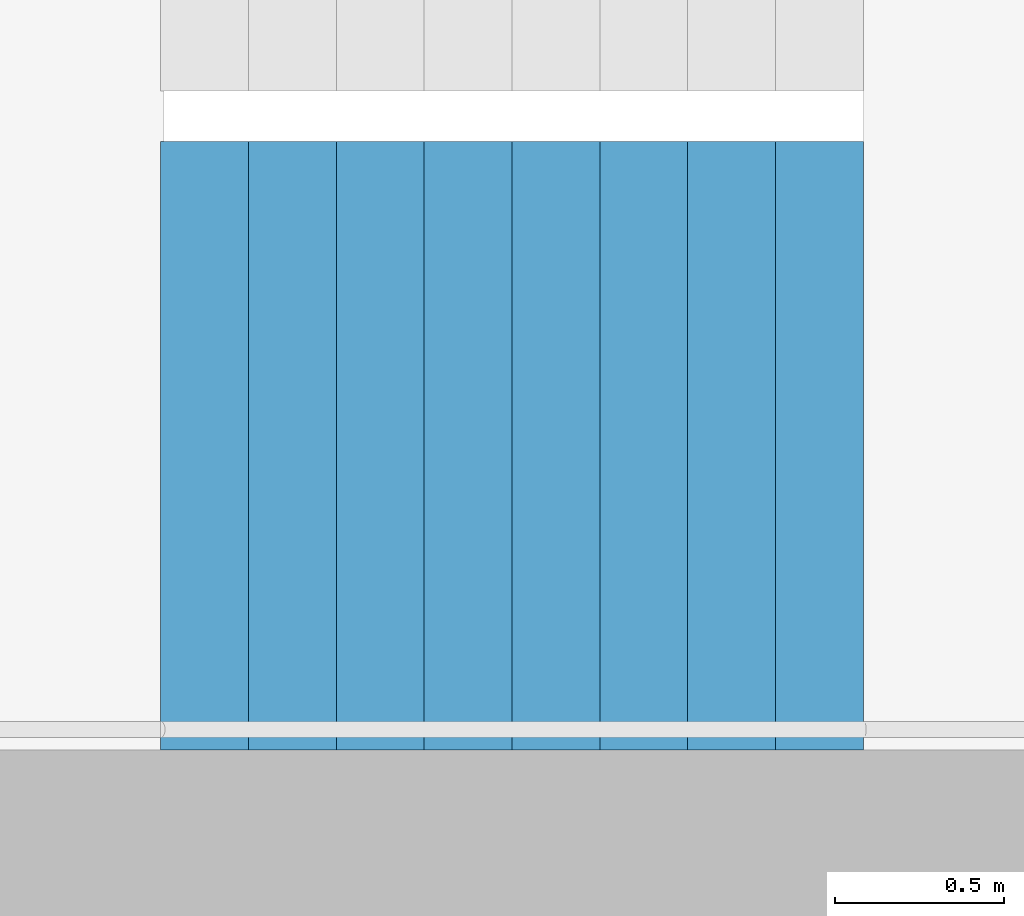
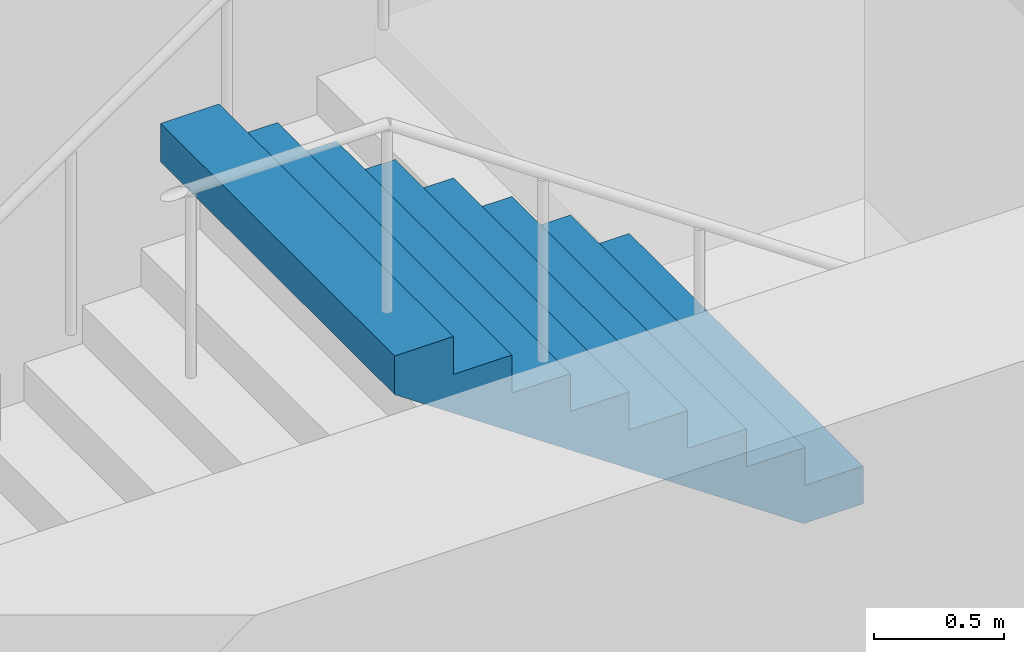
# One storey, part 22 of 26: 1 stair flight, 1 element without a shape of its own.
"""IFC4 building model written with IfcOpenShell, lengths in metres."""

from ifc_helpers import new_model, si_unit, direction, frame, origin, place, context, subcontext, project, spatial, triangles, material, type_object, element, aggregate, save


model = new_model("IFC4")

# Units and contexts
model_context = context("Model", 3, precision=1e-05, world=origin(), true_north=direction((0.0, 1.0)))
body_context = subcontext(model_context, "Body", "Model", "MODEL_VIEW")
ifc_project = project(units=[si_unit("LENGTHUNIT", "METRE"), si_unit("AREAUNIT", "SQUARE_METRE"), si_unit("VOLUMEUNIT", "CUBIC_METRE"), si_unit("PLANEANGLEUNIT", "RADIAN"), si_unit("MASSUNIT", "GRAM", prefix="KILO")], contexts=[model_context])

# Site, building, storey
site_placement = place(None, origin())
site = spatial("IfcSite", under=ifc_project, at=site_placement, CompositionType="ELEMENT")
building_placement = place(site_placement, origin())
building = spatial("IfcBuilding", under=site, at=building_placement, Name="Hakoniwa Tower and Hamabe Station Hall", CompositionType="ELEMENT")
storey_placement = place(building_placement, frame((0.0, 0.0, 212.199951171875)))
storey = spatial("IfcBuildingStorey", under=building, at=storey_placement, Name="L60", CompositionType="ELEMENT", Elevation=212.199951171875)

# Stair, stair flight
ifc_material_1 = material(Name="Concrete C40", Category="concrete")
stair_type = type_object("IfcStairType", Name="ESCAPE STAIR 1800", PredefinedType="HALF_TURN_STAIR", material=ifc_material_1)
stair_placement = place(storey_placement, origin())
stair = element("IfcStair", 1, at=stair_placement, inside=storey, type_object=stair_type, Name="Escape stair ST-4 L60", PredefinedType="HALF_TURN_STAIR")
ifc_material_2 = material(Name="Concrete C40", Category="concrete")
stair_flight_type = type_object("IfcStairFlightType", Name="STAIR FLIGHT 1800", PredefinedType="STRAIGHT", material=ifc_material_2)
stair_flight_placement = place(storey_placement, frame((25.47998046875, -6.60009765625, 1.60009765625), z_axis=(0.0, 0.0, 1.0), x_axis=(-1.0, 0.0, 0.0)))
stair_flight = element("IfcStairFlight", 2, at=stair_flight_placement, type_object=stair_flight_type, Name="ST-4 flight 2", NumberOfRisers=9, NumberOfTreads=8, PredefinedType="STRAIGHT", RiserHeight=0.177777778, TreadLength=0.26, context=body_context, shape_type="Tessellation", body=[
    triangles([(0.0, 0.89990234375, 0.0), (0.260009765625, 0.89990234375, 0.0), (0.265625, 0.89990234375, 0.0), (0.52001953125, 0.89990234375, 0.174072265625), (0.780029296875, 0.89990234375, 0.351806640625), (1.0400390625, 0.89990234375, 0.529541015625), (1.300048828125, 0.89990234375, 0.707275390625), (1.56005859375, 0.89990234375, 0.885009765625), (1.820068359375, 0.89990234375, 1.062744140625), (2.080078125, 0.89990234375, 1.24072265625), (2.080078125, 0.89990234375, 1.422119140625), (1.820068359375, 0.89990234375, 1.422119140625), (1.820068359375, 0.89990234375, 1.244384765625), (1.56005859375, 0.89990234375, 1.244384765625), (1.56005859375, 0.89990234375, 1.066650390625), (1.300048828125, 0.89990234375, 1.066650390625), (1.300048828125, 0.89990234375, 0.888916015625), (1.0400390625, 0.89990234375, 0.888916015625), (1.0400390625, 0.89990234375, 0.711181640625), (0.780029296875, 0.89990234375, 0.711181640625), (0.780029296875, 0.89990234375, 0.533447265625), (0.52001953125, 0.89990234375, 0.533447265625), (0.52001953125, 0.89990234375, 0.35546875), (0.265625, 0.89990234375, 0.35546875), (0.260009765625, 0.89990234375, 0.35546875), (0.260009765625, 0.89990234375, 0.177734375), (0.0, 0.89990234375, 0.177734375), (0.0, 0.06005859375, 0.0), (0.260009765625, 0.06005859375, 0.0), (0.265625, 0.06005859375, 0.0), (0.52001953125, 0.06005859375, 0.174072265625), (0.780029296875, 0.06005859375, 0.351806640625), (1.0400390625, 0.06005859375, 0.529541015625), (1.300048828125, 0.06005859375, 0.707275390625), (1.56005859375, 0.06005859375, 0.885009765625), (1.820068359375, 0.06005859375, 1.062744140625), (2.080078125, 0.06005859375, 1.24072265625), (2.080078125, 0.06005859375, 1.422119140625), (1.820068359375, 0.06005859375, 1.422119140625), (1.820068359375, 0.06005859375, 1.244384765625), (1.56005859375, 0.06005859375, 1.244384765625), (1.56005859375, 0.06005859375, 1.066650390625), (1.300048828125, 0.06005859375, 1.066650390625), (1.300048828125, 0.06005859375, 0.888916015625), (1.0400390625, 0.06005859375, 0.888916015625), (1.0400390625, 0.06005859375, 0.711181640625), (0.780029296875, 0.06005859375, 0.711181640625), (0.780029296875, 0.06005859375, 0.533447265625), (0.52001953125, 0.06005859375, 0.533447265625), (0.52001953125, 0.06005859375, 0.35546875), (0.265625, 0.06005859375, 0.35546875), (0.260009765625, 0.06005859375, 0.35546875), (0.260009765625, 0.06005859375, 0.177734375), (0.0, 0.06005859375, 0.177734375), (0.0, 0.04296875, 0.0), (0.260009765625, 0.04296875, 0.0), (0.265625, 0.04296875, 0.0), (0.52001953125, 0.04296875, 0.174072265625), (0.780029296875, 0.04296875, 0.351806640625), (1.0400390625, 0.04296875, 0.529541015625), (1.300048828125, 0.04296875, 0.707275390625), (1.56005859375, 0.04296875, 0.885009765625), (1.820068359375, 0.04296875, 1.062744140625), (2.080078125, 0.04296875, 1.24072265625), (2.080078125, 0.04296875, 1.422119140625), (1.820068359375, 0.04296875, 1.422119140625), (1.820068359375, 0.04296875, 1.244384765625), (1.56005859375, 0.04296875, 1.244384765625), (1.56005859375, 0.04296875, 1.066650390625), (1.300048828125, 0.04296875, 1.066650390625), (1.300048828125, 0.04296875, 0.888916015625), (1.0400390625, 0.04296875, 0.888916015625), (1.0400390625, 0.04296875, 0.711181640625), (0.780029296875, 0.04296875, 0.711181640625), (0.780029296875, 0.04296875, 0.533447265625), (0.52001953125, 0.04296875, 0.533447265625), (0.52001953125, 0.04296875, 0.35546875), (0.265625, 0.04296875, 0.35546875), (0.260009765625, 0.04296875, 0.35546875), (0.260009765625, 0.04296875, 0.177734375), (0.0, 0.04296875, 0.177734375), (0.0, 0.025634765625, 0.0), (0.260009765625, 0.025634765625, 0.0), (0.265625, 0.025634765625, 0.0), (0.52001953125, 0.025634765625, 0.174072265625), (0.780029296875, 0.025634765625, 0.351806640625), (1.0400390625, 0.025634765625, 0.529541015625), (1.300048828125, 0.025634765625, 0.707275390625), (1.56005859375, 0.025634765625, 0.885009765625), (1.820068359375, 0.025634765625, 1.062744140625), (2.080078125, 0.025634765625, 1.24072265625), (2.080078125, 0.025634765625, 1.422119140625), (1.820068359375, 0.025634765625, 1.422119140625), (1.820068359375, 0.025634765625, 1.244384765625), (1.56005859375, 0.025634765625, 1.244384765625), (1.56005859375, 0.025634765625, 1.066650390625), (1.300048828125, 0.025634765625, 1.066650390625), (1.300048828125, 0.025634765625, 0.888916015625), (1.0400390625, 0.025634765625, 0.888916015625), (1.0400390625, 0.025634765625, 0.711181640625), (0.780029296875, 0.025634765625, 0.711181640625), (0.780029296875, 0.025634765625, 0.533447265625), (0.52001953125, 0.025634765625, 0.533447265625), (0.52001953125, 0.025634765625, 0.35546875), (0.265625, 0.025634765625, 0.35546875), (0.260009765625, 0.025634765625, 0.35546875), (0.260009765625, 0.025634765625, 0.177734375), (0.0, 0.025634765625, 0.177734375), (0.0, 0.008544921875, 0.0), (0.260009765625, 0.008544921875, 0.0), (0.265625, 0.008544921875, 0.0), (0.52001953125, 0.008544921875, 0.174072265625), (0.780029296875, 0.008544921875, 0.351806640625), (1.0400390625, 0.008544921875, 0.529541015625), (1.300048828125, 0.008544921875, 0.707275390625), (1.56005859375, 0.008544921875, 0.885009765625), (1.820068359375, 0.008544921875, 1.062744140625), (2.080078125, 0.008544921875, 1.24072265625), (2.080078125, 0.008544921875, 1.422119140625), (1.820068359375, 0.008544921875, 1.422119140625), (1.820068359375, 0.008544921875, 1.244384765625), (1.56005859375, 0.008544921875, 1.244384765625), (1.56005859375, 0.008544921875, 1.066650390625), (1.300048828125, 0.008544921875, 1.066650390625), (1.300048828125, 0.008544921875, 0.888916015625), (1.0400390625, 0.008544921875, 0.888916015625), (1.0400390625, 0.008544921875, 0.711181640625), (0.780029296875, 0.008544921875, 0.711181640625), (0.780029296875, 0.008544921875, 0.533447265625), (0.52001953125, 0.008544921875, 0.533447265625), (0.52001953125, 0.008544921875, 0.35546875), (0.265625, 0.008544921875, 0.35546875), (0.260009765625, 0.008544921875, 0.35546875), (0.260009765625, 0.008544921875, 0.177734375), (0.0, 0.008544921875, 0.177734375), (0.0, -0.008544921875, 0.0), (0.260009765625, -0.008544921875, 0.0), (0.265625, -0.008544921875, 0.0), (0.52001953125, -0.008544921875, 0.174072265625), (0.780029296875, -0.008544921875, 0.351806640625), (1.0400390625, -0.008544921875, 0.529541015625), (1.300048828125, -0.008544921875, 0.707275390625), (1.56005859375, -0.008544921875, 0.885009765625), (1.820068359375, -0.008544921875, 1.062744140625), (2.080078125, -0.008544921875, 1.24072265625), (2.080078125, -0.008544921875, 1.422119140625), (1.820068359375, -0.008544921875, 1.422119140625), (1.820068359375, -0.008544921875, 1.244384765625), (1.56005859375, -0.008544921875, 1.244384765625), (1.56005859375, -0.008544921875, 1.066650390625), (1.300048828125, -0.008544921875, 1.066650390625), (1.300048828125, -0.008544921875, 0.888916015625), (1.0400390625, -0.008544921875, 0.888916015625), (1.0400390625, -0.008544921875, 0.711181640625), (0.780029296875, -0.008544921875, 0.711181640625), (0.780029296875, -0.008544921875, 0.533447265625), (0.52001953125, -0.008544921875, 0.533447265625), (0.52001953125, -0.008544921875, 0.35546875), (0.265625, -0.008544921875, 0.35546875), (0.260009765625, -0.008544921875, 0.35546875), (0.260009765625, -0.008544921875, 0.177734375), (0.0, -0.008544921875, 0.177734375), (0.0, -0.025634765625, 0.0), (0.260009765625, -0.025634765625, 0.0), (0.265625, -0.025634765625, 0.0), (0.52001953125, -0.025634765625, 0.174072265625), (0.780029296875, -0.025634765625, 0.351806640625), (1.0400390625, -0.025634765625, 0.529541015625), (1.300048828125, -0.025634765625, 0.707275390625), (1.56005859375, -0.025634765625, 0.885009765625), (1.820068359375, -0.025634765625, 1.062744140625), (2.080078125, -0.025634765625, 1.24072265625), (2.080078125, -0.025634765625, 1.422119140625), (1.820068359375, -0.025634765625, 1.422119140625), (1.820068359375, -0.025634765625, 1.244384765625), (1.56005859375, -0.025634765625, 1.244384765625), (1.56005859375, -0.025634765625, 1.066650390625), (1.300048828125, -0.025634765625, 1.066650390625), (1.300048828125, -0.025634765625, 0.888916015625), (1.0400390625, -0.025634765625, 0.888916015625), (1.0400390625, -0.025634765625, 0.711181640625), (0.780029296875, -0.025634765625, 0.711181640625), (0.780029296875, -0.025634765625, 0.533447265625), (0.52001953125, -0.025634765625, 0.533447265625), (0.52001953125, -0.025634765625, 0.35546875), (0.265625, -0.025634765625, 0.35546875), (0.260009765625, -0.025634765625, 0.35546875), (0.260009765625, -0.025634765625, 0.177734375), (0.0, -0.025634765625, 0.177734375), (0.0, -0.04296875, 0.0), (0.260009765625, -0.04296875, 0.0), (0.265625, -0.04296875, 0.0), (0.52001953125, -0.04296875, 0.174072265625), (0.780029296875, -0.04296875, 0.351806640625), (1.0400390625, -0.04296875, 0.529541015625), (1.300048828125, -0.04296875, 0.707275390625), (1.56005859375, -0.04296875, 0.885009765625), (1.820068359375, -0.04296875, 1.062744140625), (2.080078125, -0.04296875, 1.24072265625), (2.080078125, -0.04296875, 1.422119140625), (1.820068359375, -0.04296875, 1.422119140625), (1.820068359375, -0.04296875, 1.244384765625), (1.56005859375, -0.04296875, 1.244384765625), (1.56005859375, -0.04296875, 1.066650390625), (1.300048828125, -0.04296875, 1.066650390625), (1.300048828125, -0.04296875, 0.888916015625), (1.0400390625, -0.04296875, 0.888916015625), (1.0400390625, -0.04296875, 0.711181640625), (0.780029296875, -0.04296875, 0.711181640625), (0.780029296875, -0.04296875, 0.533447265625), (0.52001953125, -0.04296875, 0.533447265625), (0.52001953125, -0.04296875, 0.35546875), (0.265625, -0.04296875, 0.35546875), (0.260009765625, -0.04296875, 0.35546875), (0.260009765625, -0.04296875, 0.177734375), (0.0, -0.04296875, 0.177734375), (0.0, -0.06005859375, 0.0), (0.260009765625, -0.06005859375, 0.0), (0.265625, -0.06005859375, 0.0), (0.52001953125, -0.06005859375, 0.174072265625), (0.780029296875, -0.06005859375, 0.351806640625), (1.0400390625, -0.06005859375, 0.529541015625), (1.300048828125, -0.06005859375, 0.707275390625), (1.56005859375, -0.06005859375, 0.885009765625), (1.820068359375, -0.06005859375, 1.062744140625), (2.080078125, -0.06005859375, 1.24072265625), (2.080078125, -0.06005859375, 1.422119140625), (1.820068359375, -0.06005859375, 1.422119140625), (1.820068359375, -0.06005859375, 1.244384765625), (1.56005859375, -0.06005859375, 1.244384765625), (1.56005859375, -0.06005859375, 1.066650390625), (1.300048828125, -0.06005859375, 1.066650390625), (1.300048828125, -0.06005859375, 0.888916015625), (1.0400390625, -0.06005859375, 0.888916015625), (1.0400390625, -0.06005859375, 0.711181640625), (0.780029296875, -0.06005859375, 0.711181640625), (0.780029296875, -0.06005859375, 0.533447265625), (0.52001953125, -0.06005859375, 0.533447265625), (0.52001953125, -0.06005859375, 0.35546875), (0.265625, -0.06005859375, 0.35546875), (0.260009765625, -0.06005859375, 0.35546875), (0.260009765625, -0.06005859375, 0.177734375), (0.0, -0.06005859375, 0.177734375), (0.0, -0.89990234375, 0.0), (0.260009765625, -0.89990234375, 0.0), (0.265625, -0.89990234375, 0.0), (0.52001953125, -0.89990234375, 0.174072265625), (0.780029296875, -0.89990234375, 0.351806640625), (1.0400390625, -0.89990234375, 0.529541015625), (1.300048828125, -0.89990234375, 0.707275390625), (1.56005859375, -0.89990234375, 0.885009765625), (1.820068359375, -0.89990234375, 1.062744140625), (2.080078125, -0.89990234375, 1.24072265625), (2.080078125, -0.89990234375, 1.422119140625), (1.820068359375, -0.89990234375, 1.422119140625), (1.820068359375, -0.89990234375, 1.244384765625), (1.56005859375, -0.89990234375, 1.244384765625), (1.56005859375, -0.89990234375, 1.066650390625), (1.300048828125, -0.89990234375, 1.066650390625), (1.300048828125, -0.89990234375, 0.888916015625), (1.0400390625, -0.89990234375, 0.888916015625), (1.0400390625, -0.89990234375, 0.711181640625), (0.780029296875, -0.89990234375, 0.711181640625), (0.780029296875, -0.89990234375, 0.533447265625), (0.52001953125, -0.89990234375, 0.533447265625), (0.52001953125, -0.89990234375, 0.35546875), (0.265625, -0.89990234375, 0.35546875), (0.260009765625, -0.89990234375, 0.35546875), (0.260009765625, -0.89990234375, 0.177734375), (0.0, -0.89990234375, 0.177734375)], [[2, 27, 26], [245, 269, 270], [2, 1, 27], [245, 270, 244], [3, 25, 24], [246, 267, 268], [3, 26, 25], [246, 268, 269], [3, 2, 26], [246, 269, 245], [4, 24, 23], [247, 266, 267], [4, 3, 24], [247, 267, 246], [5, 22, 21], [248, 264, 265], [5, 23, 22], [248, 265, 266], [5, 4, 23], [248, 266, 247], [6, 20, 19], [249, 262, 263], [6, 21, 20], [249, 263, 264], [6, 5, 21], [249, 264, 248], [7, 18, 17], [250, 260, 261], [7, 19, 18], [250, 261, 262], [7, 6, 19], [250, 262, 249], [8, 16, 15], [251, 258, 259], [8, 17, 16], [251, 259, 260], [8, 7, 17], [251, 260, 250], [9, 14, 13], [252, 256, 257], [9, 15, 14], [252, 257, 258], [9, 8, 15], [252, 258, 251], [10, 12, 11], [253, 254, 255], [10, 13, 12], [253, 255, 256], [10, 9, 13], [253, 256, 252], [1, 2, 29], [1, 29, 28], [28, 29, 56], [28, 56, 55], [55, 56, 83], [55, 83, 82], [82, 83, 110], [82, 110, 109], [109, 110, 137], [109, 137, 136], [136, 137, 164], [136, 164, 163], [163, 164, 191], [163, 191, 190], [190, 191, 218], [190, 218, 217], [217, 218, 245], [217, 245, 244], [2, 3, 30], [2, 30, 29], [29, 30, 57], [29, 57, 56], [56, 57, 84], [56, 84, 83], [83, 84, 111], [83, 111, 110], [110, 111, 138], [110, 138, 137], [137, 138, 165], [137, 165, 164], [164, 165, 192], [164, 192, 191], [191, 192, 219], [191, 219, 218], [218, 219, 246], [218, 246, 245], [3, 4, 31], [3, 31, 30], [30, 31, 58], [30, 58, 57], [57, 58, 85], [57, 85, 84], [84, 85, 112], [84, 112, 111], [111, 112, 139], [111, 139, 138], [138, 139, 166], [138, 166, 165], [165, 166, 193], [165, 193, 192], [192, 193, 220], [192, 220, 219], [219, 220, 247], [219, 247, 246], [4, 5, 32], [4, 32, 31], [31, 32, 59], [31, 59, 58], [58, 59, 86], [58, 86, 85], [85, 86, 113], [85, 113, 112], [112, 113, 140], [112, 140, 139], [139, 140, 167], [139, 167, 166], [166, 167, 194], [166, 194, 193], [193, 194, 221], [193, 221, 220], [220, 221, 248], [220, 248, 247], [5, 6, 33], [5, 33, 32], [32, 33, 60], [32, 60, 59], [59, 60, 87], [59, 87, 86], [86, 87, 114], [86, 114, 113], [113, 114, 141], [113, 141, 140], [140, 141, 168], [140, 168, 167], [167, 168, 195], [167, 195, 194], [194, 195, 222], [194, 222, 221], [221, 222, 249], [221, 249, 248], [6, 7, 34], [6, 34, 33], [33, 34, 61], [33, 61, 60], [60, 61, 88], [60, 88, 87], [87, 88, 115], [87, 115, 114], [114, 115, 142], [114, 142, 141], [141, 142, 169], [141, 169, 168], [168, 169, 196], [168, 196, 195], [195, 196, 223], [195, 223, 222], [222, 223, 250], [222, 250, 249], [7, 8, 35], [7, 35, 34], [34, 35, 62], [34, 62, 61], [61, 62, 89], [61, 89, 88], [88, 89, 116], [88, 116, 115], [115, 116, 143], [115, 143, 142], [142, 143, 170], [142, 170, 169], [169, 170, 197], [169, 197, 196], [196, 197, 224], [196, 224, 223], [223, 224, 251], [223, 251, 250], [8, 9, 36], [8, 36, 35], [35, 36, 63], [35, 63, 62], [62, 63, 90], [62, 90, 89], [89, 90, 117], [89, 117, 116], [116, 117, 144], [116, 144, 143], [143, 144, 171], [143, 171, 170], [170, 171, 198], [170, 198, 197], [197, 198, 225], [197, 225, 224], [224, 225, 252], [224, 252, 251], [9, 10, 37], [9, 37, 36], [36, 37, 64], [36, 64, 63], [63, 64, 91], [63, 91, 90], [90, 91, 118], [90, 118, 117], [117, 118, 145], [117, 145, 144], [144, 145, 172], [144, 172, 171], [171, 172, 199], [171, 199, 198], [198, 199, 226], [198, 226, 225], [225, 226, 253], [225, 253, 252], [10, 11, 38], [10, 38, 37], [37, 38, 65], [37, 65, 64], [64, 65, 92], [64, 92, 91], [91, 92, 119], [91, 119, 118], [118, 119, 146], [118, 146, 145], [145, 146, 173], [145, 173, 172], [172, 173, 200], [172, 200, 199], [199, 200, 227], [199, 227, 226], [226, 227, 254], [226, 254, 253], [11, 12, 39], [11, 39, 38], [38, 39, 66], [38, 66, 65], [65, 66, 93], [65, 93, 92], [92, 93, 120], [92, 120, 119], [119, 120, 147], [119, 147, 146], [146, 147, 174], [146, 174, 173], [173, 174, 201], [173, 201, 200], [200, 201, 228], [200, 228, 227], [227, 228, 255], [227, 255, 254], [12, 13, 40], [12, 40, 39], [39, 40, 67], [39, 67, 66], [66, 67, 94], [66, 94, 93], [93, 94, 121], [93, 121, 120], [120, 121, 148], [120, 148, 147], [147, 148, 175], [147, 175, 174], [174, 175, 202], [174, 202, 201], [201, 202, 229], [201, 229, 228], [228, 229, 256], [228, 256, 255], [13, 14, 41], [13, 41, 40], [40, 41, 68], [40, 68, 67], [67, 68, 95], [67, 95, 94], [94, 95, 122], [94, 122, 121], [121, 122, 149], [121, 149, 148], [148, 149, 176], [148, 176, 175], [175, 176, 203], [175, 203, 202], [202, 203, 230], [202, 230, 229], [229, 230, 257], [229, 257, 256], [14, 15, 42], [14, 42, 41], [41, 42, 69], [41, 69, 68], [68, 69, 96], [68, 96, 95], [95, 96, 123], [95, 123, 122], [122, 123, 150], [122, 150, 149], [149, 150, 177], [149, 177, 176], [176, 177, 204], [176, 204, 203], [203, 204, 231], [203, 231, 230], [230, 231, 258], [230, 258, 257], [15, 16, 43], [15, 43, 42], [42, 43, 70], [42, 70, 69], [69, 70, 97], [69, 97, 96], [96, 97, 124], [96, 124, 123], [123, 124, 151], [123, 151, 150], [150, 151, 178], [150, 178, 177], [177, 178, 205], [177, 205, 204], [204, 205, 232], [204, 232, 231], [231, 232, 259], [231, 259, 258], [16, 17, 44], [16, 44, 43], [43, 44, 71], [43, 71, 70], [70, 71, 98], [70, 98, 97], [97, 98, 125], [97, 125, 124], [124, 125, 152], [124, 152, 151], [151, 152, 179], [151, 179, 178], [178, 179, 206], [178, 206, 205], [205, 206, 233], [205, 233, 232], [232, 233, 260], [232, 260, 259], [17, 18, 45], [17, 45, 44], [44, 45, 72], [44, 72, 71], [71, 72, 99], [71, 99, 98], [98, 99, 126], [98, 126, 125], [125, 126, 153], [125, 153, 152], [152, 153, 180], [152, 180, 179], [179, 180, 207], [179, 207, 206], [206, 207, 234], [206, 234, 233], [233, 234, 261], [233, 261, 260], [18, 19, 46], [18, 46, 45], [45, 46, 73], [45, 73, 72], [72, 73, 100], [72, 100, 99], [99, 100, 127], [99, 127, 126], [126, 127, 154], [126, 154, 153], [153, 154, 181], [153, 181, 180], [180, 181, 208], [180, 208, 207], [207, 208, 235], [207, 235, 234], [234, 235, 262], [234, 262, 261], [19, 20, 47], [19, 47, 46], [46, 47, 74], [46, 74, 73], [73, 74, 101], [73, 101, 100], [100, 101, 128], [100, 128, 127], [127, 128, 155], [127, 155, 154], [154, 155, 182], [154, 182, 181], [181, 182, 209], [181, 209, 208], [208, 209, 236], [208, 236, 235], [235, 236, 263], [235, 263, 262], [20, 21, 48], [20, 48, 47], [47, 48, 75], [47, 75, 74], [74, 75, 102], [74, 102, 101], [101, 102, 129], [101, 129, 128], [128, 129, 156], [128, 156, 155], [155, 156, 183], [155, 183, 182], [182, 183, 210], [182, 210, 209], [209, 210, 237], [209, 237, 236], [236, 237, 264], [236, 264, 263], [21, 22, 49], [21, 49, 48], [48, 49, 76], [48, 76, 75], [75, 76, 103], [75, 103, 102], [102, 103, 130], [102, 130, 129], [129, 130, 157], [129, 157, 156], [156, 157, 184], [156, 184, 183], [183, 184, 211], [183, 211, 210], [210, 211, 238], [210, 238, 237], [237, 238, 265], [237, 265, 264], [22, 23, 50], [22, 50, 49], [49, 50, 77], [49, 77, 76], [76, 77, 104], [76, 104, 103], [103, 104, 131], [103, 131, 130], [130, 131, 158], [130, 158, 157], [157, 158, 185], [157, 185, 184], [184, 185, 212], [184, 212, 211], [211, 212, 239], [211, 239, 238], [238, 239, 266], [238, 266, 265], [23, 24, 51], [23, 51, 50], [50, 51, 78], [50, 78, 77], [77, 78, 105], [77, 105, 104], [104, 105, 132], [104, 132, 131], [131, 132, 159], [131, 159, 158], [158, 159, 186], [158, 186, 185], [185, 186, 213], [185, 213, 212], [212, 213, 240], [212, 240, 239], [239, 240, 267], [239, 267, 266], [24, 25, 52], [24, 52, 51], [51, 52, 79], [51, 79, 78], [78, 79, 106], [78, 106, 105], [105, 106, 133], [105, 133, 132], [132, 133, 160], [132, 160, 159], [159, 160, 187], [159, 187, 186], [186, 187, 214], [186, 214, 213], [213, 214, 241], [213, 241, 240], [240, 241, 268], [240, 268, 267], [25, 26, 53], [25, 53, 52], [52, 53, 80], [52, 80, 79], [79, 80, 107], [79, 107, 106], [106, 107, 134], [106, 134, 133], [133, 134, 161], [133, 161, 160], [160, 161, 188], [160, 188, 187], [187, 188, 215], [187, 215, 214], [214, 215, 242], [214, 242, 241], [241, 242, 269], [241, 269, 268], [26, 27, 54], [26, 54, 53], [53, 54, 81], [53, 81, 80], [80, 81, 108], [80, 108, 107], [107, 108, 135], [107, 135, 134], [134, 135, 162], [134, 162, 161], [161, 162, 189], [161, 189, 188], [188, 189, 216], [188, 216, 215], [215, 216, 243], [215, 243, 242], [242, 243, 270], [242, 270, 269], [27, 1, 28], [27, 28, 54], [54, 28, 55], [54, 55, 81], [81, 55, 82], [81, 82, 108], [108, 82, 109], [108, 109, 135], [135, 109, 136], [135, 136, 162], [162, 136, 163], [162, 163, 189], [189, 163, 190], [189, 190, 216], [216, 190, 217], [216, 217, 243], [243, 217, 244], [243, 244, 270]], closed=True),
])
aggregate(stair, [stair_flight])

save(model, "model.ifc")
